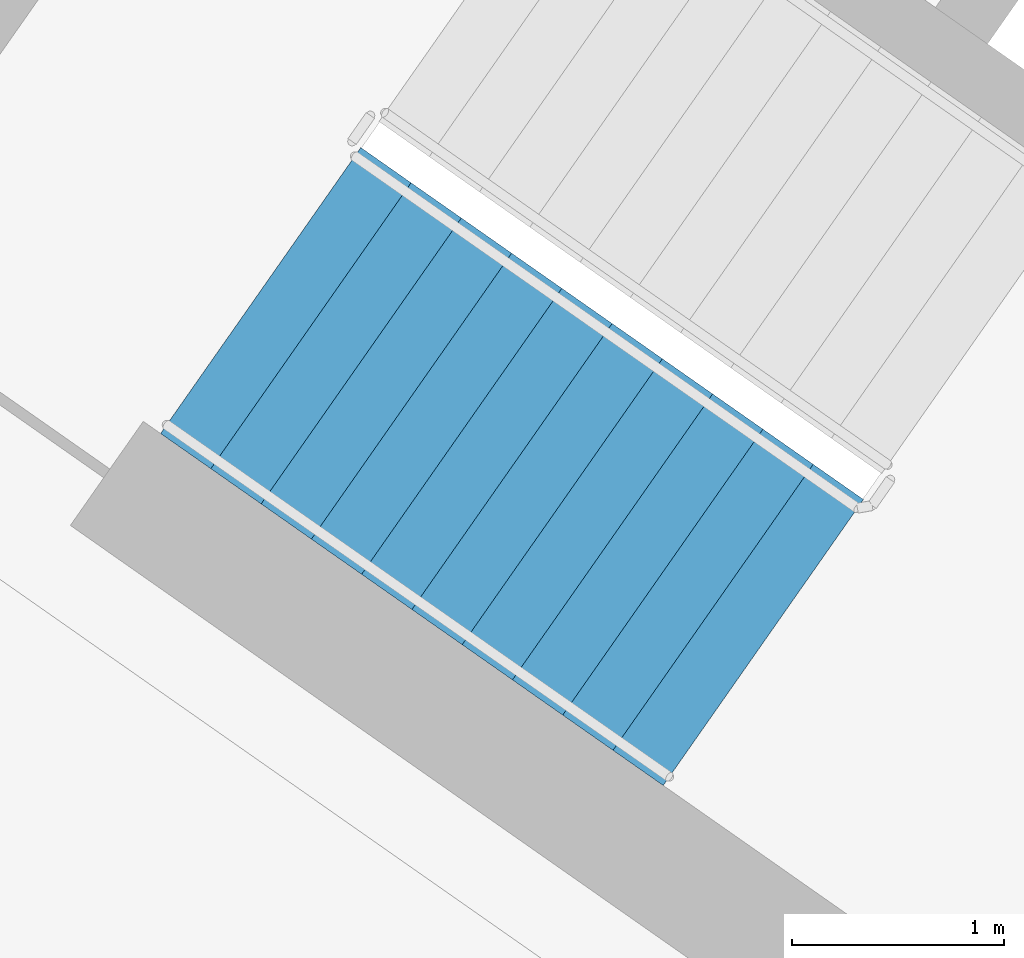
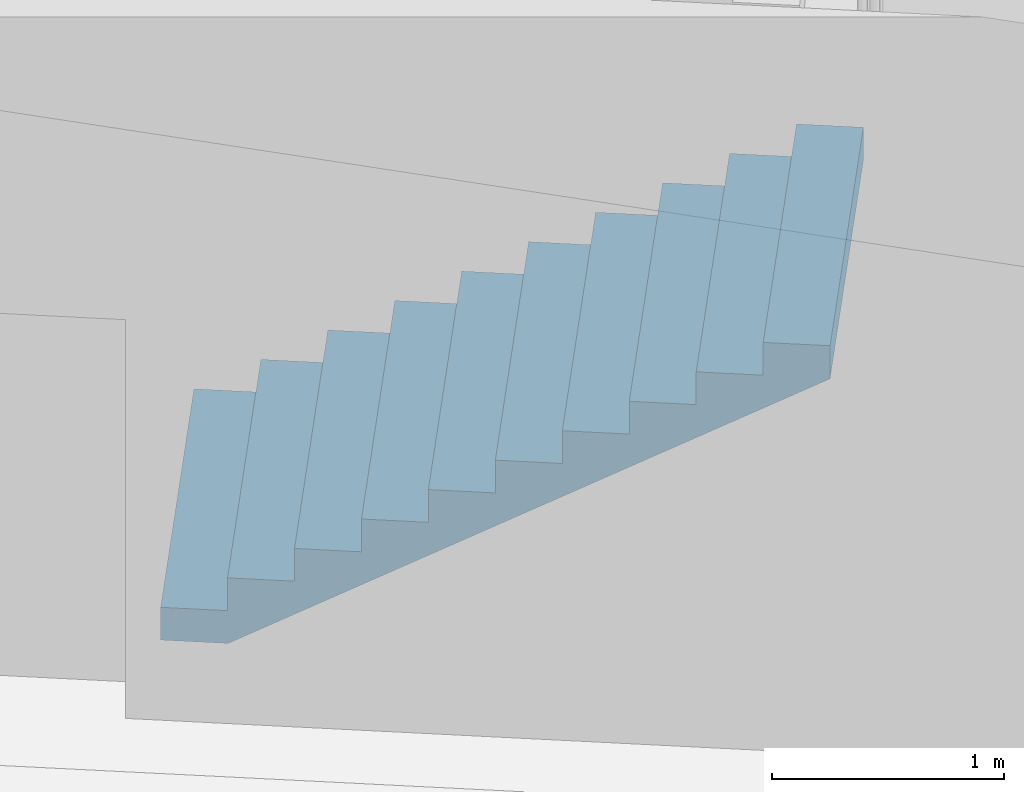
# One storey, part 8 of 31: 1 stair flight, 1 element without a shape of its own.
"""IFC4 building model written with IfcOpenShell, lengths in metres."""

from ifc_helpers import new_model, si_unit, direction, frame, origin, place, context, subcontext, project, spatial, faceted_brep, material, type_object, element, aggregate, save


model = new_model("IFC4")

# Units and contexts
model_context = context("Model", 3, precision=1e-05, world=origin(), true_north=direction((0.0, 1.0)))
body_context = subcontext(model_context, "Body", "Model", "MODEL_VIEW")
ifc_project = project(units=[si_unit("LENGTHUNIT", "METRE"), si_unit("AREAUNIT", "SQUARE_METRE"), si_unit("VOLUMEUNIT", "CUBIC_METRE"), si_unit("PLANEANGLEUNIT", "RADIAN"), si_unit("MASSUNIT", "GRAM", prefix="KILO")], contexts=[model_context])

# Site, building, storey
site_placement = place(None, origin())
site = spatial("IfcSite", under=ifc_project, at=site_placement, CompositionType="ELEMENT")
building_placement = place(site_placement, origin())
building = spatial("IfcBuilding", under=site, at=building_placement, Name="Qamariyya Broadcast Tower", CompositionType="ELEMENT")
storey_placement = place(building_placement, frame((0.0, 0.0, 149.300048828125)))
storey = spatial("IfcBuildingStorey", under=building, at=storey_placement, Name="L34", CompositionType="ELEMENT", Elevation=149.300048828125)

# Stair, stair flight
ifc_material = material(Name="Concrete C50/60", Category="concrete")
stair_type = type_object("IfcStairType", Name="Exit stair 22 risers of 173 mm", PredefinedType="HALF_TURN_STAIR", material=ifc_material)
stair_placement = place(storey_placement, origin())
stair = element("IfcStair", 1, at=stair_placement, inside=storey, type_object=stair_type, Name="L34 Stair W1", PredefinedType="HALF_TURN_STAIR")
stair_flight_type = type_object("IfcStairFlightType", Name="Exit stair flight 11 risers of 173 mm", PredefinedType="STRAIGHT", material=ifc_material)
stair_flight_placement = place(storey_placement, frame((-47.06884765625, -56.982666015625, 0.0), z_axis=(0.0, 0.0, 1.0), x_axis=(0.819152044289, -0.573576436351, 0.0)))
stair_flight = element("IfcStairFlight", 2, at=stair_flight_placement, type_object=stair_flight_type, Name="ST-W1 flight 1", NumberOfRisers=11, NumberOfTreads=10, PredefinedType="STRAIGHT", RiserHeight=0.172727273, TreadLength=0.29, context=body_context, shape_type="Brep", body=[
    faceted_brep([(0.0, 0.824951171875, 0.0), (0.0, 0.824951171875, 0.172607421875), (0.2900390625, 0.824951171875, 0.172607421875), (0.2900390625, 0.824951171875, 0.345458984375), (0.580078125, 0.824951171875, 0.345458984375), (0.580078125, 0.824951171875, 0.51806640625), (0.8701171875, 0.824951171875, 0.51806640625), (0.8701171875, 0.824951171875, 0.69091796875), (1.159912109375, 0.824951171875, 0.69091796875), (1.159912109375, 0.824951171875, 0.863525390625), (1.449951171875, 0.824951171875, 0.863525390625), (1.449951171875, 0.824951171875, 1.036376953125), (1.739990234375, 0.824951171875, 1.036376953125), (1.739990234375, 0.824951171875, 1.208984375), (2.030029296875, 0.824951171875, 1.208984375), (2.030029296875, 0.824951171875, 1.3818359375), (2.320068359375, 0.824951171875, 1.3818359375), (2.320068359375, 0.824951171875, 1.554443359375), (2.610107421875, 0.824951171875, 1.554443359375), (2.610107421875, 0.824951171875, 1.727294921875), (2.89990234375, 0.824951171875, 1.727294921875), (2.89990234375, 0.824951171875, 1.552734375), (0.29296875, 0.824951171875, 0.0), (0.29296875, -0.824951171875, 0.0), (2.89990234375, -0.824951171875, 1.552734375), (2.89990234375, -0.824951171875, 1.727294921875), (2.610107421875, -0.824951171875, 1.727294921875), (2.610107421875, -0.824951171875, 1.554443359375), (2.320068359375, -0.824951171875, 1.554443359375), (2.320068359375, -0.824951171875, 1.3818359375), (2.030029296875, -0.824951171875, 1.3818359375), (2.030029296875, -0.824951171875, 1.208984375), (1.739990234375, -0.824951171875, 1.208984375), (1.739990234375, -0.824951171875, 1.036376953125), (1.449951171875, -0.824951171875, 1.036376953125), (1.449951171875, -0.824951171875, 0.863525390625), (1.159912109375, -0.824951171875, 0.863525390625), (1.159912109375, -0.824951171875, 0.69091796875), (0.8701171875, -0.824951171875, 0.69091796875), (0.8701171875, -0.824951171875, 0.51806640625), (0.580078125, -0.824951171875, 0.51806640625), (0.580078125, -0.824951171875, 0.345458984375), (0.2900390625, -0.824951171875, 0.345458984375), (0.2900390625, -0.824951171875, 0.172607421875), (0.0, -0.824951171875, 0.172607421875), (0.0, -0.824951171875, 0.0), (0.0, 0.10009765625, 0.0), (0.0, 0.086669921875, 0.0), (0.0, 0.0732421875, 0.0), (0.0, 0.06005859375, 0.0), (0.0, 0.046630859375, 0.0), (0.0, 0.033447265625, 0.0), (0.0, 0.02001953125, 0.0), (0.0, 0.006591796875, 0.0), (0.0, -0.006591796875, 0.0), (0.0, -0.02001953125, 0.0), (0.0, -0.033447265625, 0.0), (0.0, -0.046630859375, 0.0), (0.0, -0.06005859375, 0.0), (0.0, -0.0732421875, 0.0), (0.0, -0.086669921875, 0.0), (0.0, -0.10009765625, 0.0), (0.0, -0.10009765625, 0.172607421875), (0.0, -0.086669921875, 0.172607421875), (0.0, -0.0732421875, 0.172607421875), (0.0, -0.06005859375, 0.172607421875), (0.0, -0.046630859375, 0.172607421875), (0.0, -0.033447265625, 0.172607421875), (0.0, -0.02001953125, 0.172607421875), (0.0, -0.006591796875, 0.172607421875), (0.0, 0.006591796875, 0.172607421875), (0.0, 0.02001953125, 0.172607421875), (0.0, 0.033447265625, 0.172607421875), (0.0, 0.046630859375, 0.172607421875), (0.0, 0.06005859375, 0.172607421875), (0.0, 0.0732421875, 0.172607421875), (0.0, 0.086669921875, 0.172607421875), (0.0, 0.10009765625, 0.172607421875), (0.2900390625, -0.10009765625, 0.172607421875), (0.2900390625, -0.086669921875, 0.172607421875), (0.2900390625, -0.0732421875, 0.172607421875), (0.2900390625, -0.06005859375, 0.172607421875), (0.2900390625, -0.046630859375, 0.172607421875), (0.2900390625, -0.033447265625, 0.172607421875), (0.2900390625, -0.02001953125, 0.172607421875), (0.2900390625, -0.006591796875, 0.172607421875), (0.2900390625, 0.006591796875, 0.172607421875), (0.2900390625, 0.02001953125, 0.172607421875), (0.2900390625, 0.033447265625, 0.172607421875), (0.2900390625, 0.046630859375, 0.172607421875), (0.2900390625, 0.06005859375, 0.172607421875), (0.2900390625, 0.0732421875, 0.172607421875), (0.2900390625, 0.086669921875, 0.172607421875), (0.2900390625, 0.10009765625, 0.172607421875), (0.2900390625, -0.10009765625, 0.345458984375), (0.2900390625, -0.086669921875, 0.345458984375), (0.2900390625, -0.0732421875, 0.345458984375), (0.2900390625, -0.06005859375, 0.345458984375), (0.2900390625, -0.046630859375, 0.345458984375), (0.2900390625, -0.033447265625, 0.345458984375), (0.2900390625, -0.02001953125, 0.345458984375), (0.2900390625, -0.006591796875, 0.345458984375), (0.2900390625, 0.006591796875, 0.345458984375), (0.2900390625, 0.02001953125, 0.345458984375), (0.2900390625, 0.033447265625, 0.345458984375), (0.2900390625, 0.046630859375, 0.345458984375), (0.2900390625, 0.06005859375, 0.345458984375), (0.2900390625, 0.0732421875, 0.345458984375), (0.2900390625, 0.086669921875, 0.345458984375), (0.2900390625, 0.10009765625, 0.345458984375), (0.580078125, -0.10009765625, 0.345458984375), (0.580078125, -0.086669921875, 0.345458984375), (0.580078125, -0.0732421875, 0.345458984375), (0.580078125, -0.06005859375, 0.345458984375), (0.580078125, -0.046630859375, 0.345458984375), (0.580078125, -0.033447265625, 0.345458984375), (0.580078125, -0.02001953125, 0.345458984375), (0.580078125, -0.006591796875, 0.345458984375), (0.580078125, 0.006591796875, 0.345458984375), (0.580078125, 0.02001953125, 0.345458984375), (0.580078125, 0.033447265625, 0.345458984375), (0.580078125, 0.046630859375, 0.345458984375), (0.580078125, 0.06005859375, 0.345458984375), (0.580078125, 0.0732421875, 0.345458984375), (0.580078125, 0.086669921875, 0.345458984375), (0.580078125, 0.10009765625, 0.345458984375), (0.580078125, -0.10009765625, 0.51806640625), (0.580078125, -0.086669921875, 0.51806640625), (0.580078125, -0.0732421875, 0.51806640625), (0.580078125, -0.06005859375, 0.51806640625), (0.580078125, -0.046630859375, 0.51806640625), (0.580078125, -0.033447265625, 0.51806640625), (0.580078125, -0.02001953125, 0.51806640625), (0.580078125, -0.006591796875, 0.51806640625), (0.580078125, 0.006591796875, 0.51806640625), (0.580078125, 0.02001953125, 0.51806640625), (0.580078125, 0.033447265625, 0.51806640625), (0.580078125, 0.046630859375, 0.51806640625), (0.580078125, 0.06005859375, 0.51806640625), (0.580078125, 0.0732421875, 0.51806640625), (0.580078125, 0.086669921875, 0.51806640625), (0.580078125, 0.10009765625, 0.51806640625), (0.8701171875, -0.10009765625, 0.51806640625), (0.8701171875, -0.086669921875, 0.51806640625), (0.8701171875, -0.0732421875, 0.51806640625), (0.8701171875, -0.06005859375, 0.51806640625), (0.8701171875, -0.046630859375, 0.51806640625), (0.8701171875, -0.033447265625, 0.51806640625), (0.8701171875, -0.02001953125, 0.51806640625), (0.8701171875, -0.006591796875, 0.51806640625), (0.8701171875, 0.006591796875, 0.51806640625), (0.8701171875, 0.02001953125, 0.51806640625), (0.8701171875, 0.033447265625, 0.51806640625), (0.8701171875, 0.046630859375, 0.51806640625), (0.8701171875, 0.06005859375, 0.51806640625), (0.8701171875, 0.0732421875, 0.51806640625), (0.8701171875, 0.086669921875, 0.51806640625), (0.8701171875, 0.10009765625, 0.51806640625), (0.8701171875, -0.10009765625, 0.69091796875), (0.8701171875, -0.086669921875, 0.69091796875), (0.8701171875, -0.0732421875, 0.69091796875), (0.8701171875, -0.06005859375, 0.69091796875), (0.8701171875, -0.046630859375, 0.69091796875), (0.8701171875, -0.033447265625, 0.69091796875), (0.8701171875, -0.02001953125, 0.69091796875), (0.8701171875, -0.006591796875, 0.69091796875), (0.8701171875, 0.006591796875, 0.69091796875), (0.8701171875, 0.02001953125, 0.69091796875), (0.8701171875, 0.033447265625, 0.69091796875), (0.8701171875, 0.046630859375, 0.69091796875), (0.8701171875, 0.06005859375, 0.69091796875), (0.8701171875, 0.0732421875, 0.69091796875), (0.8701171875, 0.086669921875, 0.69091796875), (0.8701171875, 0.10009765625, 0.69091796875), (1.159912109375, -0.10009765625, 0.69091796875), (1.159912109375, -0.086669921875, 0.69091796875), (1.159912109375, -0.0732421875, 0.69091796875), (1.159912109375, -0.06005859375, 0.69091796875), (1.159912109375, -0.046630859375, 0.69091796875), (1.159912109375, -0.033447265625, 0.69091796875), (1.159912109375, -0.02001953125, 0.69091796875), (1.159912109375, -0.006591796875, 0.69091796875), (1.159912109375, 0.006591796875, 0.69091796875), (1.159912109375, 0.02001953125, 0.69091796875), (1.159912109375, 0.033447265625, 0.69091796875), (1.159912109375, 0.046630859375, 0.69091796875), (1.159912109375, 0.06005859375, 0.69091796875), (1.159912109375, 0.0732421875, 0.69091796875), (1.159912109375, 0.086669921875, 0.69091796875), (1.159912109375, 0.10009765625, 0.69091796875), (1.159912109375, -0.10009765625, 0.863525390625), (1.159912109375, -0.086669921875, 0.863525390625), (1.159912109375, -0.0732421875, 0.863525390625), (1.159912109375, -0.06005859375, 0.863525390625), (1.159912109375, -0.046630859375, 0.863525390625), (1.159912109375, -0.033447265625, 0.863525390625), (1.159912109375, -0.02001953125, 0.863525390625), (1.159912109375, -0.006591796875, 0.863525390625), (1.159912109375, 0.006591796875, 0.863525390625), (1.159912109375, 0.02001953125, 0.863525390625), (1.159912109375, 0.033447265625, 0.863525390625), (1.159912109375, 0.046630859375, 0.863525390625), (1.159912109375, 0.06005859375, 0.863525390625), (1.159912109375, 0.0732421875, 0.863525390625), (1.159912109375, 0.086669921875, 0.863525390625), (1.159912109375, 0.10009765625, 0.863525390625), (1.449951171875, -0.10009765625, 0.863525390625), (1.449951171875, -0.086669921875, 0.863525390625), (1.449951171875, -0.0732421875, 0.863525390625), (1.449951171875, -0.06005859375, 0.863525390625), (1.449951171875, -0.046630859375, 0.863525390625), (1.449951171875, -0.033447265625, 0.863525390625), (1.449951171875, -0.02001953125, 0.863525390625), (1.449951171875, -0.006591796875, 0.863525390625), (1.449951171875, 0.006591796875, 0.863525390625), (1.449951171875, 0.02001953125, 0.863525390625), (1.449951171875, 0.033447265625, 0.863525390625), (1.449951171875, 0.046630859375, 0.863525390625), (1.449951171875, 0.06005859375, 0.863525390625), (1.449951171875, 0.0732421875, 0.863525390625), (1.449951171875, 0.086669921875, 0.863525390625), (1.449951171875, 0.10009765625, 0.863525390625), (1.449951171875, -0.10009765625, 1.036376953125), (1.449951171875, -0.086669921875, 1.036376953125), (1.449951171875, -0.0732421875, 1.036376953125), (1.449951171875, -0.06005859375, 1.036376953125), (1.449951171875, -0.046630859375, 1.036376953125), (1.449951171875, -0.033447265625, 1.036376953125), (1.449951171875, -0.02001953125, 1.036376953125), (1.449951171875, -0.006591796875, 1.036376953125), (1.449951171875, 0.006591796875, 1.036376953125), (1.449951171875, 0.02001953125, 1.036376953125), (1.449951171875, 0.033447265625, 1.036376953125), (1.449951171875, 0.046630859375, 1.036376953125), (1.449951171875, 0.06005859375, 1.036376953125), (1.449951171875, 0.0732421875, 1.036376953125), (1.449951171875, 0.086669921875, 1.036376953125), (1.449951171875, 0.10009765625, 1.036376953125), (1.739990234375, -0.10009765625, 1.036376953125), (1.739990234375, -0.086669921875, 1.036376953125), (1.739990234375, -0.0732421875, 1.036376953125), (1.739990234375, -0.06005859375, 1.036376953125), (1.739990234375, -0.046630859375, 1.036376953125), (1.739990234375, -0.033447265625, 1.036376953125), (1.739990234375, -0.02001953125, 1.036376953125), (1.739990234375, -0.006591796875, 1.036376953125), (1.739990234375, 0.006591796875, 1.036376953125), (1.739990234375, 0.02001953125, 1.036376953125), (1.739990234375, 0.033447265625, 1.036376953125), (1.739990234375, 0.046630859375, 1.036376953125), (1.739990234375, 0.06005859375, 1.036376953125), (1.739990234375, 0.0732421875, 1.036376953125), (1.739990234375, 0.086669921875, 1.036376953125), (1.739990234375, 0.10009765625, 1.036376953125), (1.739990234375, -0.10009765625, 1.208984375), (1.739990234375, -0.086669921875, 1.208984375), (1.739990234375, -0.0732421875, 1.208984375), (1.739990234375, -0.06005859375, 1.208984375), (1.739990234375, -0.046630859375, 1.208984375), (1.739990234375, -0.033447265625, 1.208984375), (1.739990234375, -0.02001953125, 1.208984375), (1.739990234375, -0.006591796875, 1.208984375), (1.739990234375, 0.006591796875, 1.208984375), (1.739990234375, 0.02001953125, 1.208984375), (1.739990234375, 0.033447265625, 1.208984375), (1.739990234375, 0.046630859375, 1.208984375), (1.739990234375, 0.06005859375, 1.208984375), (1.739990234375, 0.0732421875, 1.208984375), (1.739990234375, 0.086669921875, 1.208984375), (1.739990234375, 0.10009765625, 1.208984375), (2.030029296875, -0.10009765625, 1.208984375), (2.030029296875, -0.086669921875, 1.208984375), (2.030029296875, -0.0732421875, 1.208984375), (2.030029296875, -0.06005859375, 1.208984375), (2.030029296875, -0.046630859375, 1.208984375), (2.030029296875, -0.033447265625, 1.208984375), (2.030029296875, -0.02001953125, 1.208984375), (2.030029296875, -0.006591796875, 1.208984375), (2.030029296875, 0.006591796875, 1.208984375), (2.030029296875, 0.02001953125, 1.208984375), (2.030029296875, 0.033447265625, 1.208984375), (2.030029296875, 0.046630859375, 1.208984375), (2.030029296875, 0.06005859375, 1.208984375), (2.030029296875, 0.0732421875, 1.208984375), (2.030029296875, 0.086669921875, 1.208984375), (2.030029296875, 0.10009765625, 1.208984375), (2.030029296875, -0.10009765625, 1.3818359375), (2.030029296875, -0.086669921875, 1.3818359375), (2.030029296875, -0.0732421875, 1.3818359375), (2.030029296875, -0.06005859375, 1.3818359375), (2.030029296875, -0.046630859375, 1.3818359375), (2.030029296875, -0.033447265625, 1.3818359375), (2.030029296875, -0.02001953125, 1.3818359375), (2.030029296875, -0.006591796875, 1.3818359375), (2.030029296875, 0.006591796875, 1.3818359375), (2.030029296875, 0.02001953125, 1.3818359375), (2.030029296875, 0.033447265625, 1.3818359375), (2.030029296875, 0.046630859375, 1.3818359375), (2.030029296875, 0.06005859375, 1.3818359375), (2.030029296875, 0.0732421875, 1.3818359375), (2.030029296875, 0.086669921875, 1.3818359375), (2.030029296875, 0.10009765625, 1.3818359375), (2.320068359375, -0.10009765625, 1.3818359375), (2.320068359375, -0.086669921875, 1.3818359375), (2.320068359375, -0.0732421875, 1.3818359375), (2.320068359375, -0.06005859375, 1.3818359375), (2.320068359375, -0.046630859375, 1.3818359375), (2.320068359375, -0.033447265625, 1.3818359375), (2.320068359375, -0.02001953125, 1.3818359375), (2.320068359375, -0.006591796875, 1.3818359375), (2.320068359375, 0.006591796875, 1.3818359375), (2.320068359375, 0.02001953125, 1.3818359375), (2.320068359375, 0.033447265625, 1.3818359375), (2.320068359375, 0.046630859375, 1.3818359375), (2.320068359375, 0.06005859375, 1.3818359375), (2.320068359375, 0.0732421875, 1.3818359375), (2.320068359375, 0.086669921875, 1.3818359375), (2.320068359375, 0.10009765625, 1.3818359375), (2.320068359375, -0.10009765625, 1.554443359375), (2.320068359375, -0.086669921875, 1.554443359375), (2.320068359375, -0.0732421875, 1.554443359375), (2.320068359375, -0.06005859375, 1.554443359375), (2.320068359375, -0.046630859375, 1.554443359375), (2.320068359375, -0.033447265625, 1.554443359375), (2.320068359375, -0.02001953125, 1.554443359375), (2.320068359375, -0.006591796875, 1.554443359375), (2.320068359375, 0.006591796875, 1.554443359375), (2.320068359375, 0.02001953125, 1.554443359375), (2.320068359375, 0.033447265625, 1.554443359375), (2.320068359375, 0.046630859375, 1.554443359375), (2.320068359375, 0.06005859375, 1.554443359375), (2.320068359375, 0.0732421875, 1.554443359375), (2.320068359375, 0.086669921875, 1.554443359375), (2.320068359375, 0.10009765625, 1.554443359375), (2.610107421875, -0.10009765625, 1.554443359375), (2.610107421875, -0.086669921875, 1.554443359375), (2.610107421875, -0.0732421875, 1.554443359375), (2.610107421875, -0.06005859375, 1.554443359375), (2.610107421875, -0.046630859375, 1.554443359375), (2.610107421875, -0.033447265625, 1.554443359375), (2.610107421875, -0.02001953125, 1.554443359375), (2.610107421875, -0.006591796875, 1.554443359375), (2.610107421875, 0.006591796875, 1.554443359375), (2.610107421875, 0.02001953125, 1.554443359375), (2.610107421875, 0.033447265625, 1.554443359375), (2.610107421875, 0.046630859375, 1.554443359375), (2.610107421875, 0.06005859375, 1.554443359375), (2.610107421875, 0.0732421875, 1.554443359375), (2.610107421875, 0.086669921875, 1.554443359375), (2.610107421875, 0.10009765625, 1.554443359375), (2.610107421875, -0.10009765625, 1.727294921875), (2.610107421875, -0.086669921875, 1.727294921875), (2.610107421875, -0.0732421875, 1.727294921875), (2.610107421875, -0.06005859375, 1.727294921875), (2.610107421875, -0.046630859375, 1.727294921875), (2.610107421875, -0.033447265625, 1.727294921875), (2.610107421875, -0.02001953125, 1.727294921875), (2.610107421875, -0.006591796875, 1.727294921875), (2.610107421875, 0.006591796875, 1.727294921875), (2.610107421875, 0.02001953125, 1.727294921875), (2.610107421875, 0.033447265625, 1.727294921875), (2.610107421875, 0.046630859375, 1.727294921875), (2.610107421875, 0.06005859375, 1.727294921875), (2.610107421875, 0.0732421875, 1.727294921875), (2.610107421875, 0.086669921875, 1.727294921875), (2.610107421875, 0.10009765625, 1.727294921875), (2.89990234375, -0.10009765625, 1.727294921875), (2.89990234375, -0.086669921875, 1.727294921875), (2.89990234375, -0.0732421875, 1.727294921875), (2.89990234375, -0.06005859375, 1.727294921875), (2.89990234375, -0.046630859375, 1.727294921875), (2.89990234375, -0.033447265625, 1.727294921875), (2.89990234375, -0.02001953125, 1.727294921875), (2.89990234375, -0.006591796875, 1.727294921875), (2.89990234375, 0.006591796875, 1.727294921875), (2.89990234375, 0.02001953125, 1.727294921875), (2.89990234375, 0.033447265625, 1.727294921875), (2.89990234375, 0.046630859375, 1.727294921875), (2.89990234375, 0.06005859375, 1.727294921875), (2.89990234375, 0.0732421875, 1.727294921875), (2.89990234375, 0.086669921875, 1.727294921875), (2.89990234375, 0.10009765625, 1.727294921875), (2.89990234375, -0.10009765625, 1.552734375), (2.89990234375, -0.086669921875, 1.552734375), (2.89990234375, -0.0732421875, 1.552734375), (2.89990234375, -0.06005859375, 1.552734375), (2.89990234375, -0.046630859375, 1.552734375), (2.89990234375, -0.033447265625, 1.552734375), (2.89990234375, -0.02001953125, 1.552734375), (2.89990234375, -0.006591796875, 1.552734375), (2.89990234375, 0.006591796875, 1.552734375), (2.89990234375, 0.02001953125, 1.552734375), (2.89990234375, 0.033447265625, 1.552734375), (2.89990234375, 0.046630859375, 1.552734375), (2.89990234375, 0.06005859375, 1.552734375), (2.89990234375, 0.0732421875, 1.552734375), (2.89990234375, 0.086669921875, 1.552734375), (2.89990234375, 0.10009765625, 1.552734375), (0.29296875, -0.10009765625, 0.0), (0.29296875, -0.086669921875, 0.0), (0.29296875, -0.0732421875, 0.0), (0.29296875, -0.06005859375, 0.0), (0.29296875, -0.046630859375, 0.0), (0.29296875, -0.033447265625, 0.0), (0.29296875, -0.02001953125, 0.0), (0.29296875, -0.006591796875, 0.0), (0.29296875, 0.006591796875, 0.0), (0.29296875, 0.02001953125, 0.0), (0.29296875, 0.033447265625, 0.0), (0.29296875, 0.046630859375, 0.0), (0.29296875, 0.06005859375, 0.0), (0.29296875, 0.0732421875, 0.0), (0.29296875, 0.086669921875, 0.0), (0.29296875, 0.10009765625, 0.0)], [[[0, 1, 2, 3, 4, 5, 6, 7, 8, 9, 10, 11, 12, 13, 14, 15, 16, 17, 18, 19, 20, 21, 22]], [[23, 24, 25, 26, 27, 28, 29, 30, 31, 32, 33, 34, 35, 36, 37, 38, 39, 40, 41, 42, 43, 44, 45]], [[0, 46, 47, 48, 49, 50, 51, 52, 53, 54, 55, 56, 57, 58, 59, 60, 61, 45, 44, 62, 63, 64, 65, 66, 67, 68, 69, 70, 71, 72, 73, 74, 75, 76, 77, 1]], [[1, 77, 76, 75, 74, 73, 72, 71, 70, 69, 68, 67, 66, 65, 64, 63, 62, 44, 43, 78, 79, 80, 81, 82, 83, 84, 85, 86, 87, 88, 89, 90, 91, 92, 93, 2]], [[2, 93, 92, 91, 90, 89, 88, 87, 86, 85, 84, 83, 82, 81, 80, 79, 78, 43, 42, 94, 95, 96, 97, 98, 99, 100, 101, 102, 103, 104, 105, 106, 107, 108, 109, 3]], [[3, 109, 108, 107, 106, 105, 104, 103, 102, 101, 100, 99, 98, 97, 96, 95, 94, 42, 41, 110, 111, 112, 113, 114, 115, 116, 117, 118, 119, 120, 121, 122, 123, 124, 125, 4]], [[4, 125, 124, 123, 122, 121, 120, 119, 118, 117, 116, 115, 114, 113, 112, 111, 110, 41, 40, 126, 127, 128, 129, 130, 131, 132, 133, 134, 135, 136, 137, 138, 139, 140, 141, 5]], [[5, 141, 140, 139, 138, 137, 136, 135, 134, 133, 132, 131, 130, 129, 128, 127, 126, 40, 39, 142, 143, 144, 145, 146, 147, 148, 149, 150, 151, 152, 153, 154, 155, 156, 157, 6]], [[6, 157, 156, 155, 154, 153, 152, 151, 150, 149, 148, 147, 146, 145, 144, 143, 142, 39, 38, 158, 159, 160, 161, 162, 163, 164, 165, 166, 167, 168, 169, 170, 171, 172, 173, 7]], [[7, 173, 172, 171, 170, 169, 168, 167, 166, 165, 164, 163, 162, 161, 160, 159, 158, 38, 37, 174, 175, 176, 177, 178, 179, 180, 181, 182, 183, 184, 185, 186, 187, 188, 189, 8]], [[8, 189, 188, 187, 186, 185, 184, 183, 182, 181, 180, 179, 178, 177, 176, 175, 174, 37, 36, 190, 191, 192, 193, 194, 195, 196, 197, 198, 199, 200, 201, 202, 203, 204, 205, 9]], [[9, 205, 204, 203, 202, 201, 200, 199, 198, 197, 196, 195, 194, 193, 192, 191, 190, 36, 35, 206, 207, 208, 209, 210, 211, 212, 213, 214, 215, 216, 217, 218, 219, 220, 221, 10]], [[10, 221, 220, 219, 218, 217, 216, 215, 214, 213, 212, 211, 210, 209, 208, 207, 206, 35, 34, 222, 223, 224, 225, 226, 227, 228, 229, 230, 231, 232, 233, 234, 235, 236, 237, 11]], [[11, 237, 236, 235, 234, 233, 232, 231, 230, 229, 228, 227, 226, 225, 224, 223, 222, 34, 33, 238, 239, 240, 241, 242, 243, 244, 245, 246, 247, 248, 249, 250, 251, 252, 253, 12]], [[12, 253, 252, 251, 250, 249, 248, 247, 246, 245, 244, 243, 242, 241, 240, 239, 238, 33, 32, 254, 255, 256, 257, 258, 259, 260, 261, 262, 263, 264, 265, 266, 267, 268, 269, 13]], [[13, 269, 268, 267, 266, 265, 264, 263, 262, 261, 260, 259, 258, 257, 256, 255, 254, 32, 31, 270, 271, 272, 273, 274, 275, 276, 277, 278, 279, 280, 281, 282, 283, 284, 285, 14]], [[14, 285, 284, 283, 282, 281, 280, 279, 278, 277, 276, 275, 274, 273, 272, 271, 270, 31, 30, 286, 287, 288, 289, 290, 291, 292, 293, 294, 295, 296, 297, 298, 299, 300, 301, 15]], [[15, 301, 300, 299, 298, 297, 296, 295, 294, 293, 292, 291, 290, 289, 288, 287, 286, 30, 29, 302, 303, 304, 305, 306, 307, 308, 309, 310, 311, 312, 313, 314, 315, 316, 317, 16]], [[16, 317, 316, 315, 314, 313, 312, 311, 310, 309, 308, 307, 306, 305, 304, 303, 302, 29, 28, 318, 319, 320, 321, 322, 323, 324, 325, 326, 327, 328, 329, 330, 331, 332, 333, 17]], [[17, 333, 332, 331, 330, 329, 328, 327, 326, 325, 324, 323, 322, 321, 320, 319, 318, 28, 27, 334, 335, 336, 337, 338, 339, 340, 341, 342, 343, 344, 345, 346, 347, 348, 349, 18]], [[18, 349, 348, 347, 346, 345, 344, 343, 342, 341, 340, 339, 338, 337, 336, 335, 334, 27, 26, 350, 351, 352, 353, 354, 355, 356, 357, 358, 359, 360, 361, 362, 363, 364, 365, 19]], [[19, 365, 364, 363, 362, 361, 360, 359, 358, 357, 356, 355, 354, 353, 352, 351, 350, 26, 25, 366, 367, 368, 369, 370, 371, 372, 373, 374, 375, 376, 377, 378, 379, 380, 381, 20]], [[20, 381, 380, 379, 378, 377, 376, 375, 374, 373, 372, 371, 370, 369, 368, 367, 366, 25, 24, 382, 383, 384, 385, 386, 387, 388, 389, 390, 391, 392, 393, 394, 395, 396, 397, 21]], [[21, 397, 396, 395, 394, 393, 392, 391, 390, 389, 388, 387, 386, 385, 384, 383, 382, 24, 23, 398, 399, 400, 401, 402, 403, 404, 405, 406, 407, 408, 409, 410, 411, 412, 413, 22]], [[22, 413, 412, 411, 410, 409, 408, 407, 406, 405, 404, 403, 402, 401, 400, 399, 398, 23, 45, 61, 60, 59, 58, 57, 56, 55, 54, 53, 52, 51, 50, 49, 48, 47, 46, 0]]]),
])
aggregate(stair, [stair_flight])

save(model, "model.ifc")
